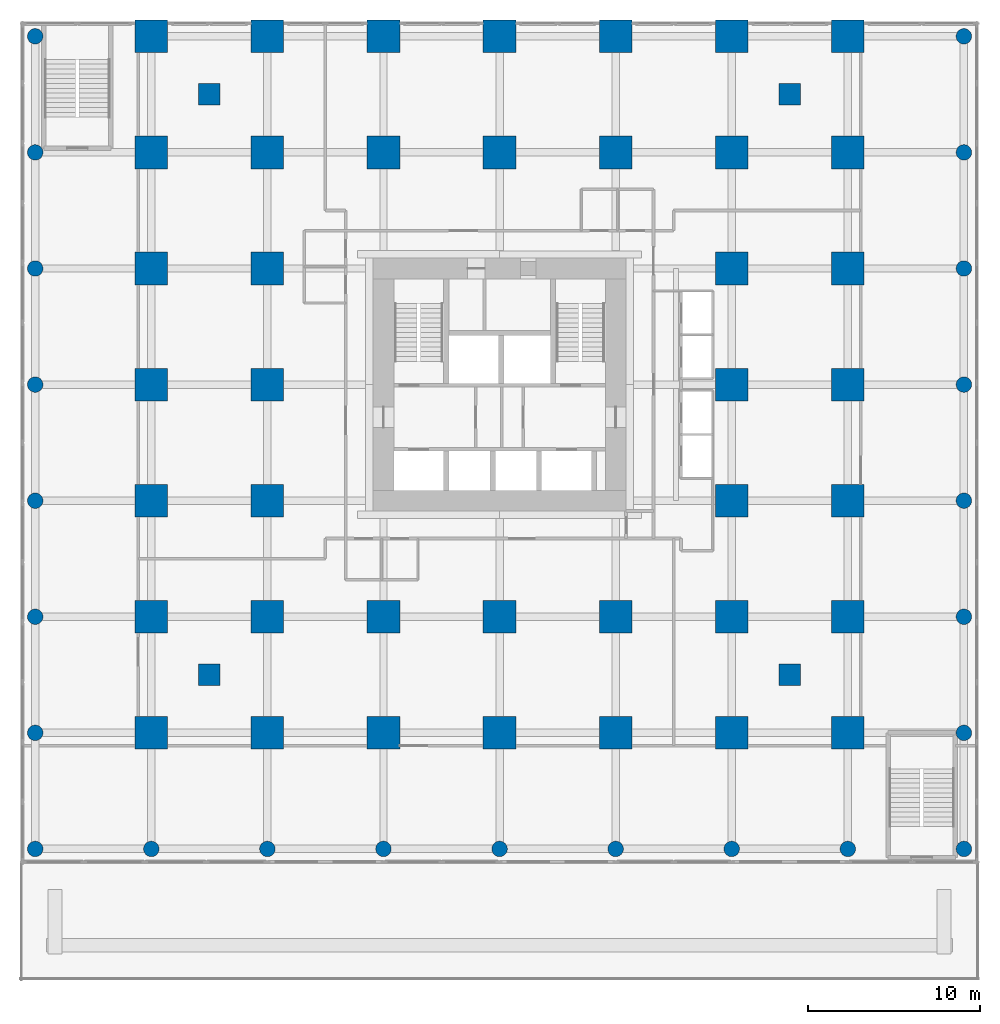
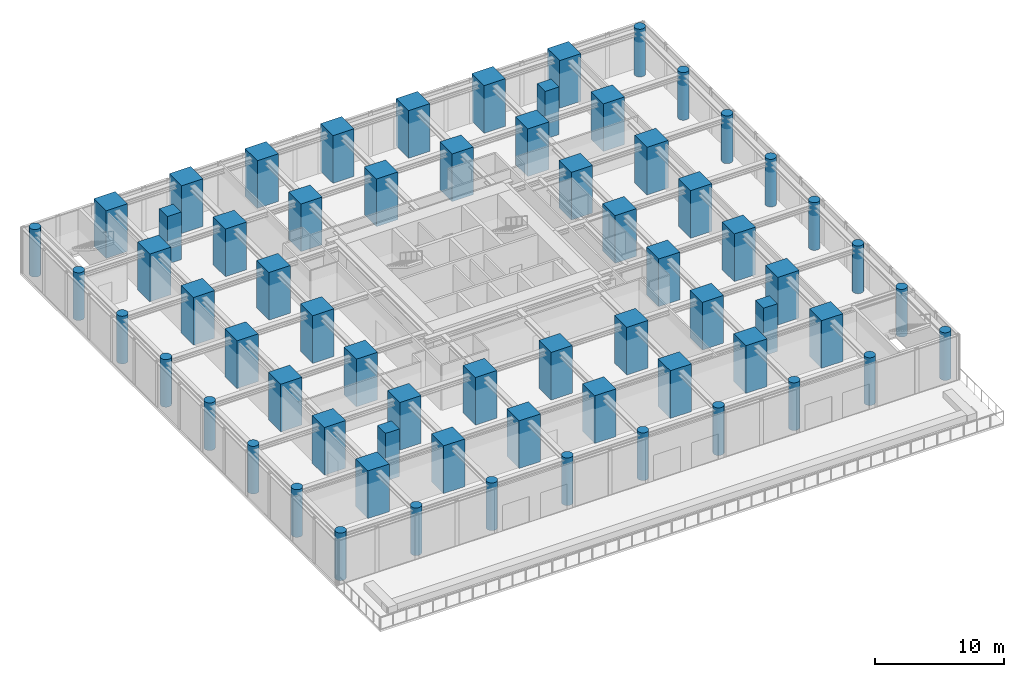
# One storey, part 1 of 10: 67 columns.
"""IFC4 building model written with IfcOpenShell, lengths in metres."""

from ifc_helpers import new_model, si_unit, direction, frame, origin, origin_2d, place, context, subcontext, project, spatial, rectangle, circle, extrude, material, material_profile, profile_set, type_object, element, save


model = new_model("IFC4")

# Units and contexts
model_context = context("Model", 3, precision=1e-05, world=origin(), true_north=direction((0.0, 1.0)))
body_context = subcontext(model_context, "Body", "Model", "MODEL_VIEW")
ifc_project = project(units=[si_unit("LENGTHUNIT", "METRE"), si_unit("AREAUNIT", "SQUARE_METRE"), si_unit("VOLUMEUNIT", "CUBIC_METRE"), si_unit("PLANEANGLEUNIT", "RADIAN"), si_unit("MASSUNIT", "GRAM", prefix="KILO")], contexts=[model_context])

# Site, building, storey
site_placement = place(None, origin())
site = spatial("IfcSite", under=ifc_project, at=site_placement, CompositionType="ELEMENT")
building_placement = place(site_placement, origin())
building = spatial("IfcBuilding", under=site, at=building_placement, Name="Nyansa Garden Tower", CompositionType="ELEMENT")
storey_placement = place(building_placement, frame((0.0, 0.0, 9.0)))
storey = spatial("IfcBuildingStorey", under=building, at=storey_placement, Name="L02", CompositionType="ELEMENT", Elevation=9.0)

# Columns
ifc_material_1 = material(Name="Concrete C70/85", Category="concrete")
ifc_material_profile_1 = material_profile(ifc_material_1, circle(Radius=0.449951171875, at=origin_2d()), Name="RC D900")
ifc_profile_set_1 = profile_set([ifc_material_profile_1], Name="Concrete C70/85")
column_type_1 = type_object("IfcColumnType", Name="Arcade column RC D900", PredefinedType="COLUMN", material=ifc_profile_set_1)
for number, where, z_axis, x_axis, name in (
    (1, (-6.75, -6.75, 0.0), (0.0, 0.0, 1.0), (1.0, 0.0, 0.0), "Column 1/C L02"),
    (2, (-6.75, 0.0, 0.0), (0.0, 0.0, 1.0), (1.0, 0.0, 0.0), "Column 1/D L02"),
    (3, (-6.75, 6.75, 0.0), (0.0, 0.0, 1.0), (1.0, 0.0, 0.0), "Column 1/E L02"),
    (4, (-6.75, 13.5, 0.0), (0.0, 0.0, 1.0), (1.0, 0.0, 0.0), "Column 1/F L02"),
    (5, (-6.75, 20.25, 0.0), (0.0, 0.0, 1.0), (1.0, 0.0, 0.0), "Column 1/G L02"),
    (6, (-6.75, 27.0, 0.0), (0.0, 0.0, 1.0), (1.0, 0.0, 0.0), "Column 1/H L02"),
    (7, (-6.75, 33.75, 0.0), (0.0, 0.0, 1.0), (1.0, 0.0, 0.0), "Column 1/J L02"),
    (8, (-6.75, 40.5, 0.0), (0.0, 0.0, 1.0), (1.0, 0.0, 0.0), "Column 1/K L02"),
    (9, (0.0, -6.75, 0.0), (0.0, 0.0, 1.0), (1.0, 0.0, 0.0), "Column 2/C L02"),
    (10, (6.75, -6.75, 0.0), (0.0, 0.0, 1.0), (1.0, 0.0, 0.0), "Column 3/C L02"),
    (11, (13.5, -6.75, 0.0), (0.0, 0.0, 1.0), (1.0, 0.0, 0.0), "Column 4/C L02"),
    (12, (20.25, -6.75, 0.0), (0.0, 0.0, 1.0), (1.0, 0.0, 0.0), "Column 5/C L02"),
    (13, (27.0, -6.75, 0.0), (0.0, 0.0, 1.0), (1.0, 0.0, 0.0), "Column 6/C L02"),
    (14, (33.75, -6.75, 0.0), (0.0, 0.0, 1.0), (1.0, 0.0, 0.0), "Column 7/C L02"),
    (15, (40.5, -6.75, 0.0), (0.0, 0.0, 1.0), (1.0, 0.0, 0.0), "Column 8/C L02"),
    (16, (47.25, -6.75, 0.0), (0.0, 0.0, 1.0), (1.0, 0.0, 0.0), "Column 9/C L02"),
    (17, (47.25, 0.0, 0.0), (0.0, 0.0, 1.0), (1.0, 0.0, 0.0), "Column 9/D L02"),
    (18, (47.25, 6.75, 0.0), (0.0, 0.0, 1.0), (1.0, 0.0, 0.0), "Column 9/E L02"),
    (19, (47.25, 13.5, 0.0), (0.0, 0.0, 1.0), (1.0, 0.0, 0.0), "Column 9/F L02"),
    (20, (47.25, 20.25, 0.0), (0.0, 0.0, 1.0), (1.0, 0.0, 0.0), "Column 9/G L02"),
    (21, (47.25, 27.0, 0.0), (0.0, 0.0, 1.0), (1.0, 0.0, 0.0), "Column 9/H L02"),
    (22, (47.25, 33.75, 0.0), (0.0, 0.0, 1.0), (1.0, 0.0, 0.0), "Column 9/J L02"),
    (23, (47.25, 40.5, 0.0), (0.0, 0.0, 1.0), (1.0, 0.0, 0.0), "Column 9/K L02"),
):
    element("IfcColumn", number, at=place(storey_placement, frame(where, z_axis=z_axis, x_axis=x_axis)), inside=storey, type_object=column_type_1, Name=name, PredefinedType="COLUMN", context=body_context, shape_type="SweptSolid", body=[
        extrude(circle(Radius=0.449951171875, at=origin_2d()), origin(), (0.0, 0.0, 1.0), 4.5),
    ])
ifc_material_2 = material(Name="Concrete C70/85", Category="concrete")
ifc_material_profile_2 = material_profile(ifc_material_2, rectangle(XDim=1.25, YDim=1.25, at=origin_2d()), Name="RC 1250x1250")
ifc_profile_set_2 = profile_set([ifc_material_profile_2], Name="Concrete C70/85")
column_type_2 = type_object("IfcColumnType", Name="Column C125 RC 1250x1250", PredefinedType="COLUMN", material=ifc_profile_set_2)
for number, where, z_axis, x_axis, name in (
    (24, (3.375, 3.375, 0.0), (0.0, 0.0, 1.0), (1.0, 0.0, 0.0), "Column x3.375/y3.375 L02"),
    (25, (3.375, 37.125, 0.0), (0.0, 0.0, 1.0), (1.0, 0.0, 0.0), "Column x3.375/y37.125 L02"),
    (26, (37.125, 3.375, 0.0), (0.0, 0.0, 1.0), (1.0, 0.0, 0.0), "Column x37.125/y3.375 L02"),
    (27, (37.125, 37.125, 0.0), (0.0, 0.0, 1.0), (1.0, 0.0, 0.0), "Column x37.125/y37.125 L02"),
):
    element("IfcColumn", number, at=place(storey_placement, frame(where, z_axis=z_axis, x_axis=x_axis)), inside=storey, type_object=column_type_2, Name=name, PredefinedType="COLUMN", context=body_context, shape_type="SweptSolid", body=[
        extrude(rectangle(XDim=1.25, YDim=1.25, at=origin_2d()), origin(), (0.0, 0.0, 1.0), 4.5),
    ])
ifc_material_3 = material(Name="Concrete C80/95", Category="concrete")
ifc_material_profile_3 = material_profile(ifc_material_3, rectangle(XDim=1.89990234375, YDim=1.89990234375, at=origin_2d()), Name="RC 1900x1900")
ifc_profile_set_3 = profile_set([ifc_material_profile_3], Name="Concrete C80/95")
column_type_3 = type_object("IfcColumnType", Name="Column C190 RC 1900x1900", PredefinedType="COLUMN", material=ifc_profile_set_3)
for number, where, z_axis, x_axis, name in (
    (28, (0.0, 0.0, 0.0), (0.0, 0.0, 1.0), (1.0, 0.0, 0.0), "Column 2/D L02"),
    (29, (0.0, 6.75, 0.0), (0.0, 0.0, 1.0), (1.0, 0.0, 0.0), "Column 2/E L02"),
    (30, (0.0, 13.5, 0.0), (0.0, 0.0, 1.0), (1.0, 0.0, 0.0), "Column 2/F L02"),
    (31, (0.0, 20.25, 0.0), (0.0, 0.0, 1.0), (1.0, 0.0, 0.0), "Column 2/G L02"),
    (32, (0.0, 27.0, 0.0), (0.0, 0.0, 1.0), (1.0, 0.0, 0.0), "Column 2/H L02"),
    (33, (0.0, 33.75, 0.0), (0.0, 0.0, 1.0), (1.0, 0.0, 0.0), "Column 2/J L02"),
    (34, (0.0, 40.5, 0.0), (0.0, 0.0, 1.0), (1.0, 0.0, 0.0), "Column 2/K L02"),
    (35, (6.75, 0.0, 0.0), (0.0, 0.0, 1.0), (1.0, 0.0, 0.0), "Column 3/D L02"),
    (36, (6.75, 6.75, 0.0), (0.0, 0.0, 1.0), (1.0, 0.0, 0.0), "Column 3/E L02"),
    (37, (6.75, 13.5, 0.0), (0.0, 0.0, 1.0), (1.0, 0.0, 0.0), "Column 3/F L02"),
    (38, (6.75, 20.25, 0.0), (0.0, 0.0, 1.0), (1.0, 0.0, 0.0), "Column 3/G L02"),
    (39, (6.75, 27.0, 0.0), (0.0, 0.0, 1.0), (1.0, 0.0, 0.0), "Column 3/H L02"),
    (40, (6.75, 33.75, 0.0), (0.0, 0.0, 1.0), (1.0, 0.0, 0.0), "Column 3/J L02"),
    (41, (6.75, 40.5, 0.0), (0.0, 0.0, 1.0), (1.0, 0.0, 0.0), "Column 3/K L02"),
    (42, (13.5, 0.0, 0.0), (0.0, 0.0, 1.0), (1.0, 0.0, 0.0), "Column 4/D L02"),
    (43, (13.5, 6.75, 0.0), (0.0, 0.0, 1.0), (1.0, 0.0, 0.0), "Column 4/E L02"),
    (44, (13.5, 33.75, 0.0), (0.0, 0.0, 1.0), (1.0, 0.0, 0.0), "Column 4/J L02"),
    (45, (13.5, 40.5, 0.0), (0.0, 0.0, 1.0), (1.0, 0.0, 0.0), "Column 4/K L02"),
    (46, (20.25, 0.0, 0.0), (0.0, 0.0, 1.0), (1.0, 0.0, 0.0), "Column 5/D L02"),
    (47, (20.25, 6.75, 0.0), (0.0, 0.0, 1.0), (1.0, 0.0, 0.0), "Column 5/E L02"),
    (48, (20.25, 33.75, 0.0), (0.0, 0.0, 1.0), (1.0, 0.0, 0.0), "Column 5/J L02"),
    (49, (20.25, 40.5, 0.0), (0.0, 0.0, 1.0), (1.0, 0.0, 0.0), "Column 5/K L02"),
    (50, (27.0, 0.0, 0.0), (0.0, 0.0, 1.0), (1.0, 0.0, 0.0), "Column 6/D L02"),
    (51, (27.0, 6.75, 0.0), (0.0, 0.0, 1.0), (1.0, 0.0, 0.0), "Column 6/E L02"),
    (52, (27.0, 33.75, 0.0), (0.0, 0.0, 1.0), (1.0, 0.0, 0.0), "Column 6/J L02"),
    (53, (27.0, 40.5, 0.0), (0.0, 0.0, 1.0), (1.0, 0.0, 0.0), "Column 6/K L02"),
    (54, (33.75, 0.0, 0.0), (0.0, 0.0, 1.0), (1.0, 0.0, 0.0), "Column 7/D L02"),
    (55, (33.75, 6.75, 0.0), (0.0, 0.0, 1.0), (1.0, 0.0, 0.0), "Column 7/E L02"),
    (56, (33.75, 13.5, 0.0), (0.0, 0.0, 1.0), (1.0, 0.0, 0.0), "Column 7/F L02"),
    (57, (33.75, 20.25, 0.0), (0.0, 0.0, 1.0), (1.0, 0.0, 0.0), "Column 7/G L02"),
    (58, (33.75, 27.0, 0.0), (0.0, 0.0, 1.0), (1.0, 0.0, 0.0), "Column 7/H L02"),
    (59, (33.75, 33.75, 0.0), (0.0, 0.0, 1.0), (1.0, 0.0, 0.0), "Column 7/J L02"),
    (60, (33.75, 40.5, 0.0), (0.0, 0.0, 1.0), (1.0, 0.0, 0.0), "Column 7/K L02"),
    (61, (40.5, 0.0, 0.0), (0.0, 0.0, 1.0), (1.0, 0.0, 0.0), "Column 8/D L02"),
    (62, (40.5, 6.75, 0.0), (0.0, 0.0, 1.0), (1.0, 0.0, 0.0), "Column 8/E L02"),
    (63, (40.5, 13.5, 0.0), (0.0, 0.0, 1.0), (1.0, 0.0, 0.0), "Column 8/F L02"),
    (64, (40.5, 20.25, 0.0), (0.0, 0.0, 1.0), (1.0, 0.0, 0.0), "Column 8/G L02"),
    (65, (40.5, 27.0, 0.0), (0.0, 0.0, 1.0), (1.0, 0.0, 0.0), "Column 8/H L02"),
    (66, (40.5, 33.75, 0.0), (0.0, 0.0, 1.0), (1.0, 0.0, 0.0), "Column 8/J L02"),
    (67, (40.5, 40.5, 0.0), (0.0, 0.0, 1.0), (1.0, 0.0, 0.0), "Column 8/K L02"),
):
    element("IfcColumn", number, at=place(storey_placement, frame(where, z_axis=z_axis, x_axis=x_axis)), inside=storey, type_object=column_type_3, Name=name, PredefinedType="COLUMN", context=body_context, shape_type="SweptSolid", body=[
        extrude(rectangle(XDim=1.89990234375, YDim=1.89990234375, at=origin_2d()), origin(), (0.0, 0.0, 1.0), 4.5),
    ])

save(model, "model.ifc")
